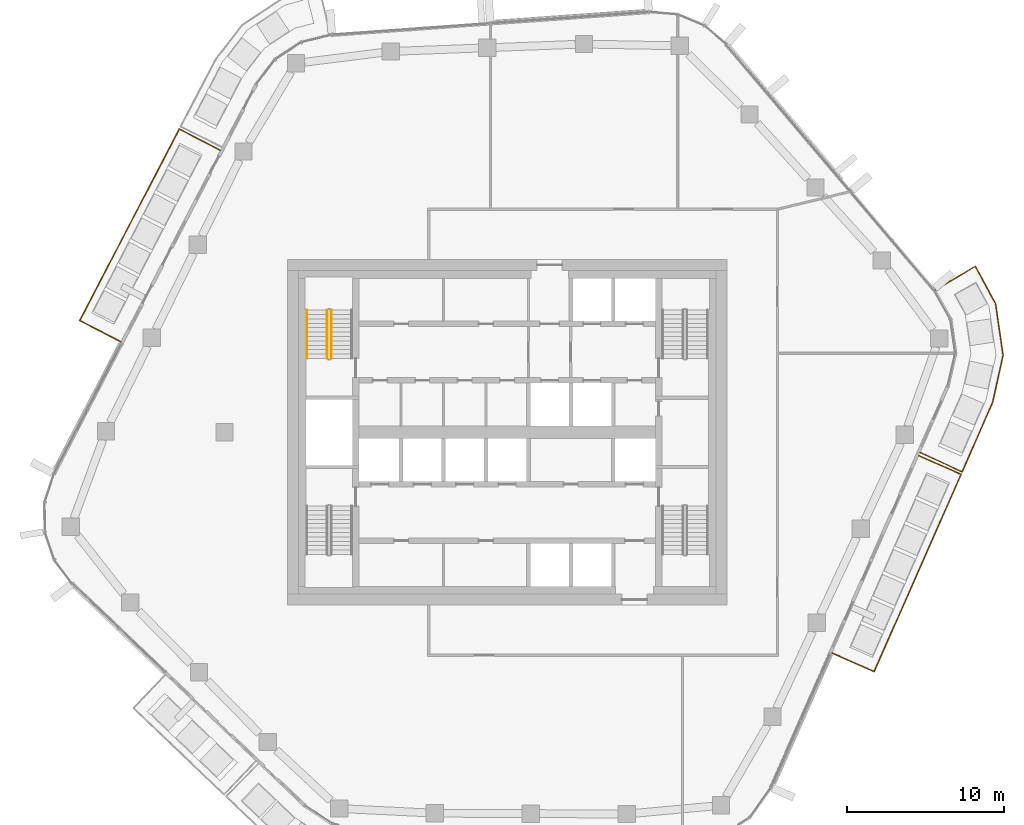
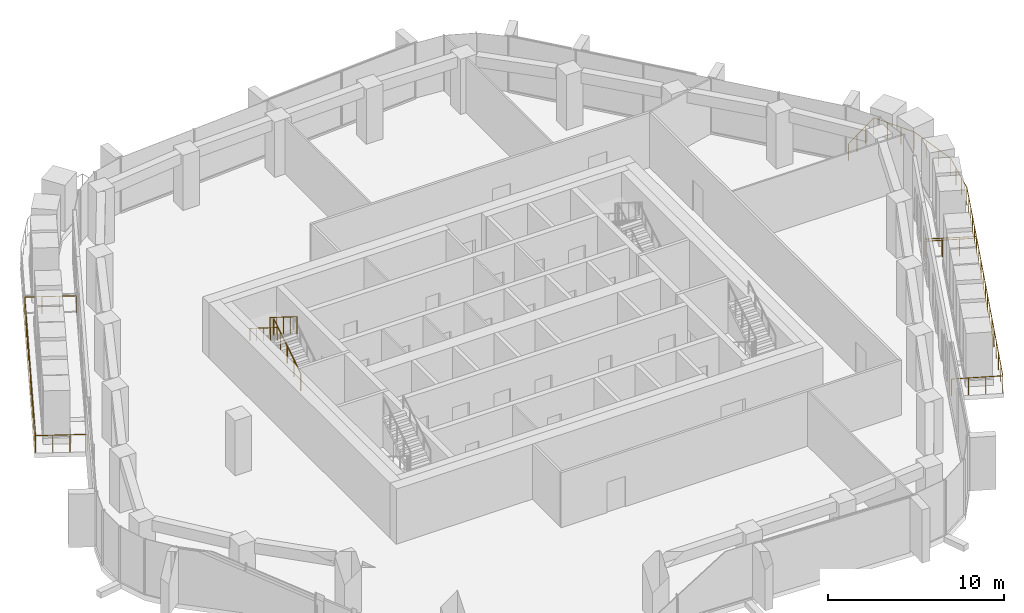
# One storey, part 18 of 21: 6 railings.
"""IFC4 building model written with IfcOpenShell, lengths in metres."""

from ifc_helpers import new_model, si_unit, direction, frame, origin, origin_2d, place, context, subcontext, project, spatial, circle, extrude, material, type_object, element, save


model = new_model("IFC4")

# Units and contexts
model_context = context("Model", 3, precision=1e-05, world=origin(), true_north=direction((0.0, 1.0)))
body_context = subcontext(model_context, "Body", "Model", "MODEL_VIEW")
ifc_project = project(units=[si_unit("LENGTHUNIT", "METRE"), si_unit("AREAUNIT", "SQUARE_METRE"), si_unit("VOLUMEUNIT", "CUBIC_METRE"), si_unit("PLANEANGLEUNIT", "RADIAN"), si_unit("MASSUNIT", "GRAM", prefix="KILO")], contexts=[model_context])

# Site, building, storey
site_placement = place(None, origin())
site = spatial("IfcSite", under=ifc_project, at=site_placement, CompositionType="ELEMENT")
building_placement = place(site_placement, origin())
building = spatial("IfcBuilding", under=site, at=building_placement, Name="Dongbaek Canopy Tower", CompositionType="ELEMENT")
storey_placement = place(building_placement, frame((0.0, 0.0, 274.800048828125)))
storey = spatial("IfcBuildingStorey", under=building, at=storey_placement, Name="L58", CompositionType="ELEMENT", Elevation=274.800048828125)

# Railings
ifc_material_1 = material(Name="Stainless steel", Category="steel")
railing_type_1 = type_object("IfcRailingType", Name="Balcony balustrade 1200", PredefinedType="BALUSTRADE", material=ifc_material_1)
railing_1_placement = place(storey_placement, frame((-18.266845703125, 17.95263671875, 0.0)))
element("IfcRailing", 1, at=railing_1_placement, inside=storey, type_object=railing_type_1, Name="Balcony guard L58 1", PredefinedType="BALUSTRADE", context=body_context, shape_type="SweptSolid", body=[
    extrude(circle(Radius=0.02392578125, at=origin_2d()), frame((0.0, 0.0, 1.17578125), z_axis=(-0.88746276603, 0.460879419057, 0.0), x_axis=(-0.460879419057, -0.88746276603, 0.0)), (0.0, 0.0, 1.0), 2.93994140625),
    extrude(circle(Radius=0.02392578125, at=origin_2d()), frame((-2.609130859375, 1.35498046875, 1.17578125), z_axis=(-0.460893866628, -0.887455262932, 0.0), x_axis=(0.887455262932, -0.460893866628, 0.0)), (0.0, 0.0, 1.0), 13.738525390625),
    extrude(circle(Radius=0.02392578125, at=origin_2d()), frame((-8.941162109375, -10.83740234375, 1.17578125), z_axis=(0.88746276603, -0.460879419057, 0.0), x_axis=(0.460879419057, 0.88746276603, 0.0)), (0.0, 0.0, 1.0), 2.93994140625),
    extrude(circle(Radius=0.02099609375, at=origin_2d()), origin(), (0.0, 0.0, 1.0), 1.15185546875),
    extrude(circle(Radius=0.02099609375, at=origin_2d()), frame((-0.86962890625, 0.45166015625, 0.0)), (0.0, 0.0, 1.0), 1.15185546875),
    extrude(circle(Radius=0.02099609375, at=origin_2d()), frame((-1.739501953125, 0.9033203125, 0.0)), (0.0, 0.0, 1.0), 1.15185546875),
    extrude(circle(Radius=0.02099609375, at=origin_2d()), frame((-2.609130859375, 1.35498046875, 0.0)), (0.0, 0.0, 1.0), 1.15185546875),
    extrude(circle(Radius=0.02099609375, at=origin_2d()), frame((-3.13671875, 0.3388671875, 0.0)), (0.0, 0.0, 1.0), 1.15185546875),
    extrude(circle(Radius=0.02099609375, at=origin_2d()), frame((-3.66455078125, -0.677001953125, 0.0)), (0.0, 0.0, 1.0), 1.15185546875),
    extrude(circle(Radius=0.02099609375, at=origin_2d()), frame((-4.192138671875, -1.693115234375, 0.0)), (0.0, 0.0, 1.0), 1.15185546875),
    extrude(circle(Radius=0.02099609375, at=origin_2d()), frame((-4.7197265625, -2.709228515625, 0.0)), (0.0, 0.0, 1.0), 1.15185546875),
    extrude(circle(Radius=0.02099609375, at=origin_2d()), frame((-5.24755859375, -3.72509765625, 0.0)), (0.0, 0.0, 1.0), 1.15185546875),
    extrude(circle(Radius=0.02099609375, at=origin_2d()), frame((-5.775146484375, -4.7412109375, 0.0)), (0.0, 0.0, 1.0), 1.15185546875),
    extrude(circle(Radius=0.02099609375, at=origin_2d()), frame((-6.302734375, -5.75732421875, 0.0)), (0.0, 0.0, 1.0), 1.15185546875),
    extrude(circle(Radius=0.02099609375, at=origin_2d()), frame((-6.83056640625, -6.773193359375, 0.0)), (0.0, 0.0, 1.0), 1.15185546875),
    extrude(circle(Radius=0.02099609375, at=origin_2d()), frame((-7.358154296875, -7.789306640625, 0.0)), (0.0, 0.0, 1.0), 1.15185546875),
    extrude(circle(Radius=0.02099609375, at=origin_2d()), frame((-7.8857421875, -8.805419921875, 0.0)), (0.0, 0.0, 1.0), 1.15185546875),
    extrude(circle(Radius=0.02099609375, at=origin_2d()), frame((-8.41357421875, -9.8212890625, 0.0)), (0.0, 0.0, 1.0), 1.15185546875),
    extrude(circle(Radius=0.02099609375, at=origin_2d()), frame((-8.941162109375, -10.83740234375, 0.0)), (0.0, 0.0, 1.0), 1.15185546875),
    extrude(circle(Radius=0.02099609375, at=origin_2d()), frame((-8.071533203125, -11.2890625, 0.0)), (0.0, 0.0, 1.0), 1.15185546875),
    extrude(circle(Radius=0.02099609375, at=origin_2d()), frame((-7.20166015625, -11.74072265625, 0.0)), (0.0, 0.0, 1.0), 1.15185546875),
    extrude(circle(Radius=0.02099609375, at=origin_2d()), frame((-6.33203125, -12.1923828125, 0.0)), (0.0, 0.0, 1.0), 1.15185546875),
])
railing_2_placement = place(storey_placement, frame((20.66650390625, -14.046630859375, 0.0)))
element("IfcRailing", 2, at=railing_2_placement, inside=storey, type_object=railing_type_1, Name="Balcony guard L58 3", PredefinedType="BALUSTRADE", context=body_context, shape_type="SweptSolid", body=[
    extrude(circle(Radius=0.02392578125, at=origin_2d()), frame((0.0, 0.0, 1.17578125), z_axis=(0.915050344332, -0.403339642656, 0.0), x_axis=(0.403339642656, 0.915050344332, 0.0)), (0.0, 0.0, 1.0), 2.93994140625),
    extrude(circle(Radius=0.02392578125, at=origin_2d()), frame((2.690185546875, -1.185791015625, 1.17578125), z_axis=(0.403289373455, 0.915072500547, 0.0), x_axis=(-0.915072500547, 0.403289373455, 0.0)), (0.0, 0.0, 1.0), 13.724365234375),
    extrude(circle(Radius=0.02392578125, at=origin_2d()), frame((8.22509765625, 11.373046875, 1.17578125), z_axis=(-0.915094495807, 0.403239462036, 0.0), x_axis=(-0.403239462036, -0.915094495807, 0.0)), (0.0, 0.0, 1.0), 2.93994140625),
    extrude(circle(Radius=0.02099609375, at=origin_2d()), origin(), (0.0, 0.0, 1.0), 1.15185546875),
    extrude(circle(Radius=0.02099609375, at=origin_2d()), frame((0.896728515625, -0.395263671875, 0.0)), (0.0, 0.0, 1.0), 1.15185546875),
    extrude(circle(Radius=0.02099609375, at=origin_2d()), frame((1.79345703125, -0.79052734375, 0.0)), (0.0, 0.0, 1.0), 1.15185546875),
    extrude(circle(Radius=0.02099609375, at=origin_2d()), frame((2.690185546875, -1.185791015625, 0.0)), (0.0, 0.0, 1.0), 1.15185546875),
    extrude(circle(Radius=0.02099609375, at=origin_2d()), frame((3.1513671875, -0.13916015625, 0.0)), (0.0, 0.0, 1.0), 1.15185546875),
    extrude(circle(Radius=0.02099609375, at=origin_2d()), frame((3.61279296875, 0.9072265625, 0.0)), (0.0, 0.0, 1.0), 1.15185546875),
    extrude(circle(Radius=0.02099609375, at=origin_2d()), frame((4.073974609375, 1.953857421875, 0.0)), (0.0, 0.0, 1.0), 1.15185546875),
    extrude(circle(Radius=0.02099609375, at=origin_2d()), frame((4.53515625, 3.00048828125, 0.0)), (0.0, 0.0, 1.0), 1.15185546875),
    extrude(circle(Radius=0.02099609375, at=origin_2d()), frame((4.996337890625, 4.047119140625, 0.0)), (0.0, 0.0, 1.0), 1.15185546875),
    extrude(circle(Radius=0.02099609375, at=origin_2d()), frame((5.45751953125, 5.09375, 0.0)), (0.0, 0.0, 1.0), 1.15185546875),
    extrude(circle(Radius=0.02099609375, at=origin_2d()), frame((5.9189453125, 6.14013671875, 0.0)), (0.0, 0.0, 1.0), 1.15185546875),
    extrude(circle(Radius=0.02099609375, at=origin_2d()), frame((6.380126953125, 7.186767578125, 0.0)), (0.0, 0.0, 1.0), 1.15185546875),
    extrude(circle(Radius=0.02099609375, at=origin_2d()), frame((6.84130859375, 8.2333984375, 0.0)), (0.0, 0.0, 1.0), 1.15185546875),
    extrude(circle(Radius=0.02099609375, at=origin_2d()), frame((7.302734375, 9.27978515625, 0.0)), (0.0, 0.0, 1.0), 1.15185546875),
    extrude(circle(Radius=0.02099609375, at=origin_2d()), frame((7.763916015625, 10.326416015625, 0.0)), (0.0, 0.0, 1.0), 1.15185546875),
    extrude(circle(Radius=0.02099609375, at=origin_2d()), frame((8.22509765625, 11.373046875, 0.0)), (0.0, 0.0, 1.0), 1.15185546875),
    extrude(circle(Radius=0.02099609375, at=origin_2d()), frame((7.328369140625, 11.768310546875, 0.0)), (0.0, 0.0, 1.0), 1.15185546875),
    extrude(circle(Radius=0.02099609375, at=origin_2d()), frame((6.431396484375, 12.163330078125, 0.0)), (0.0, 0.0, 1.0), 1.15185546875),
    extrude(circle(Radius=0.02099609375, at=origin_2d()), frame((5.53466796875, 12.55859375, 0.0)), (0.0, 0.0, 1.0), 1.15185546875),
])
railing_3_placement = place(storey_placement, frame((26.2900390625, -1.28662109375, 0.0)))
element("IfcRailing", 3, at=railing_3_placement, inside=storey, type_object=railing_type_1, Name="Balcony guard L58 4", PredefinedType="BALUSTRADE", context=body_context, shape_type="SweptSolid", body=[
    extrude(circle(Radius=0.02392578125, at=origin_2d()), frame((0.0, 0.0, 1.17578125), z_axis=(0.906628060989, -0.42193075146, 0.0), x_axis=(0.42193075146, 0.906628060989, 0.0)), (0.0, 0.0, 1.0), 2.940673828125),
    extrude(circle(Radius=0.02392578125, at=origin_2d()), frame((2.666015625, -1.24072265625, 1.17578125), z_axis=(0.400881930572, 0.916129727572, 0.0), x_axis=(-0.916129727572, 0.400881930572, 0.0)), (0.0, 0.0, 1.0), 4.87158203125),
    extrude(circle(Radius=0.02392578125, at=origin_2d()), frame((4.618896484375, 3.22216796875, 1.17578125), z_axis=(0.214642720729, 0.976692634578, 0.0), x_axis=(-0.976692634578, 0.214642720729, 0.0)), (0.0, 0.0, 1.0), 3.040283203125),
    extrude(circle(Radius=0.02392578125, at=origin_2d()), frame((5.271484375, 6.191650390625, 1.17578125), z_axis=(-0.143124483091, 0.989704694512, 0.0), x_axis=(-0.989704694512, -0.143124483091, 0.0)), (0.0, 0.0, 1.0), 3.31103515625),
    extrude(circle(Radius=0.02392578125, at=origin_2d()), frame((4.797607421875, 9.468505859375, 1.17578125), z_axis=(-0.47722074837, 0.878783453033, 0.0), x_axis=(-0.878783453033, -0.47722074837, 0.0)), (0.0, 0.0, 1.0), 2.717041015625),
    extrude(circle(Radius=0.02392578125, at=origin_2d()), frame((3.5009765625, 11.856201171875, 1.17578125), z_axis=(-0.859471809309, -0.511183146244, 0.0), x_axis=(0.511183146244, -0.859471809309, 0.0)), (0.0, 0.0, 1.0), 2.940673828125),
    extrude(circle(Radius=0.02099609375, at=origin_2d()), origin(), (0.0, 0.0, 1.0), 1.15185546875),
    extrude(circle(Radius=0.02099609375, at=origin_2d()), frame((0.888671875, -0.41357421875, 0.0)), (0.0, 0.0, 1.0), 1.15185546875),
    extrude(circle(Radius=0.02099609375, at=origin_2d()), frame((1.77734375, -0.8271484375, 0.0)), (0.0, 0.0, 1.0), 1.15185546875),
    extrude(circle(Radius=0.02099609375, at=origin_2d()), frame((2.666015625, -1.24072265625, 0.0)), (0.0, 0.0, 1.0), 1.15185546875),
    extrude(circle(Radius=0.02099609375, at=origin_2d()), frame((3.056640625, -0.34814453125, 0.0)), (0.0, 0.0, 1.0), 1.15185546875),
    extrude(circle(Radius=0.02099609375, at=origin_2d()), frame((3.447265625, 0.54443359375, 0.0)), (0.0, 0.0, 1.0), 1.15185546875),
    extrude(circle(Radius=0.02099609375, at=origin_2d()), frame((3.837646484375, 1.43701171875, 0.0)), (0.0, 0.0, 1.0), 1.15185546875),
    extrude(circle(Radius=0.02099609375, at=origin_2d()), frame((4.228271484375, 2.32958984375, 0.0)), (0.0, 0.0, 1.0), 1.15185546875),
    extrude(circle(Radius=0.02099609375, at=origin_2d()), frame((4.618896484375, 3.22216796875, 0.0)), (0.0, 0.0, 1.0), 1.15185546875),
    extrude(circle(Radius=0.02099609375, at=origin_2d()), frame((4.83642578125, 4.2119140625, 0.0)), (0.0, 0.0, 1.0), 1.15185546875),
    extrude(circle(Radius=0.02099609375, at=origin_2d()), frame((5.053955078125, 5.201904296875, 0.0)), (0.0, 0.0, 1.0), 1.15185546875),
    extrude(circle(Radius=0.02099609375, at=origin_2d()), frame((5.271484375, 6.191650390625, 0.0)), (0.0, 0.0, 1.0), 1.15185546875),
    extrude(circle(Radius=0.02099609375, at=origin_2d()), frame((5.113525390625, 7.283935546875, 0.0)), (0.0, 0.0, 1.0), 1.15185546875),
    extrude(circle(Radius=0.02099609375, at=origin_2d()), frame((4.95556640625, 8.376220703125, 0.0)), (0.0, 0.0, 1.0), 1.15185546875),
    extrude(circle(Radius=0.02099609375, at=origin_2d()), frame((4.797607421875, 9.468505859375, 0.0)), (0.0, 0.0, 1.0), 1.15185546875),
    extrude(circle(Radius=0.02099609375, at=origin_2d()), frame((4.365478515625, 10.264404296875, 0.0)), (0.0, 0.0, 1.0), 1.15185546875),
    extrude(circle(Radius=0.02099609375, at=origin_2d()), frame((3.93310546875, 11.060302734375, 0.0)), (0.0, 0.0, 1.0), 1.15185546875),
    extrude(circle(Radius=0.02099609375, at=origin_2d()), frame((3.5009765625, 11.856201171875, 0.0)), (0.0, 0.0, 1.0), 1.15185546875),
    extrude(circle(Radius=0.02099609375, at=origin_2d()), frame((2.658447265625, 11.355224609375, 0.0)), (0.0, 0.0, 1.0), 1.15185546875),
    extrude(circle(Radius=0.02099609375, at=origin_2d()), frame((1.816162109375, 10.85400390625, 0.0)), (0.0, 0.0, 1.0), 1.15185546875),
    extrude(circle(Radius=0.02099609375, at=origin_2d()), frame((0.9736328125, 10.35302734375, 0.0)), (0.0, 0.0, 1.0), 1.15185546875),
])
ifc_material_2 = material(Name="Stainless steel tube and balusters", Category="steel")
railing_type_2 = type_object("IfcRailingType", Name="Stair guard 1200", PredefinedType="GUARDRAIL", material=ifc_material_2)
railing_4_placement = place(storey_placement, frame((-11.199951171875, 4.699951171875, 0.175048828125)))
element("IfcRailing", 4, at=railing_4_placement, inside=storey, type_object=railing_type_2, Name="L58 ST-C stair guard 1", PredefinedType="GUARDRAIL", context=body_context, shape_type="SweptSolid", body=[
    extrude(circle(Radius=0.02392578125, at=origin_2d()), frame((0.0, 0.0, 1.17578125), z_axis=(0.0, 0.848028513186, 0.529950602248), x_axis=(-1.0, 0.0, 0.0)), (0.0, 0.0, 1.0), 3.632080078125),
    extrude(circle(Radius=0.02099609375, at=origin_2d()), origin(), (0.0, 0.0, 1.0), 1.15185546875),
    extrude(circle(Radius=0.02099609375, at=origin_2d()), frame((0.0, 0.77001953125, 0.481201171875)), (0.0, 0.0, 1.0), 1.15185546875),
    extrude(circle(Radius=0.02099609375, at=origin_2d()), frame((0.0, 1.5400390625, 0.96240234375)), (0.0, 0.0, 1.0), 1.15185546875),
    extrude(circle(Radius=0.02099609375, at=origin_2d()), frame((0.0, 2.31005859375, 1.443603515625)), (0.0, 0.0, 1.0), 1.15185546875),
    extrude(circle(Radius=0.02099609375, at=origin_2d()), frame((0.0, 3.080078125, 1.9248046875)), (0.0, 0.0, 1.0), 1.15185546875),
])
railing_5_placement = place(storey_placement, frame((-11.449951171875, 7.780029296875, 2.27490234375)))
element("IfcRailing", 5, at=railing_5_placement, inside=storey, type_object=railing_type_2, Name="L58 ST-C stair guard 3", PredefinedType="GUARDRAIL", context=body_context, shape_type="SweptSolid", body=[
    extrude(circle(Radius=0.02392578125, at=origin_2d()), frame((0.0, 0.0, 1.17578125), z_axis=(0.0, -0.847998304005, 0.529998940003), x_axis=(1.0, 0.0, 0.0)), (0.0, 0.0, 1.0), 3.632080078125),
    extrude(circle(Radius=0.02099609375, at=origin_2d()), origin(), (0.0, 0.0, 1.0), 1.15185546875),
    extrude(circle(Radius=0.02099609375, at=origin_2d()), frame((0.0, -0.77001953125, 0.481201171875)), (0.0, 0.0, 1.0), 1.15185546875),
    extrude(circle(Radius=0.02099609375, at=origin_2d()), frame((0.0, -1.5400390625, 0.96240234375)), (0.0, 0.0, 1.0), 1.15185546875),
    extrude(circle(Radius=0.02099609375, at=origin_2d()), frame((0.0, -2.31005859375, 1.44384765625)), (0.0, 0.0, 1.0), 1.15185546875),
    extrude(circle(Radius=0.02099609375, at=origin_2d()), frame((0.0, -3.080078125, 1.925048828125)), (0.0, 0.0, 1.0), 1.15185546875),
])
ifc_material_3 = material(Name="Stainless steel tube", Category="steel")
railing_type_3 = type_object("IfcRailingType", Name="Stair handrail 900", PredefinedType="HANDRAIL", material=ifc_material_3)
railing_6_placement = place(storey_placement, frame((-12.75, 7.780029296875, 2.27490234375)))
element("IfcRailing", 6, at=railing_6_placement, inside=storey, type_object=railing_type_3, Name="L58 ST-C stair handrail 2", PredefinedType="HANDRAIL", context=body_context, shape_type="SweptSolid", body=[
    extrude(circle(Radius=0.02392578125, at=origin_2d()), frame((0.0, 0.0, 0.8759765625), z_axis=(0.0, -0.847998304005, 0.529998940003), x_axis=(1.0, 0.0, 0.0)), (0.0, 0.0, 1.0), 3.632080078125),
    extrude(circle(Radius=0.02099609375, at=origin_2d()), origin(), (0.0, 0.0, 1.0), 0.851806640625),
    extrude(circle(Radius=0.02099609375, at=origin_2d()), frame((0.0, -0.77001953125, 0.481201171875)), (0.0, 0.0, 1.0), 0.851806640625),
    extrude(circle(Radius=0.02099609375, at=origin_2d()), frame((0.0, -1.5400390625, 0.96240234375)), (0.0, 0.0, 1.0), 0.851806640625),
    extrude(circle(Radius=0.02099609375, at=origin_2d()), frame((0.0, -2.31005859375, 1.44384765625)), (0.0, 0.0, 1.0), 0.851806640625),
    extrude(circle(Radius=0.02099609375, at=origin_2d()), frame((0.0, -3.080078125, 1.925048828125)), (0.0, 0.0, 1.0), 0.851806640625),
])

save(model, "model.ifc")
